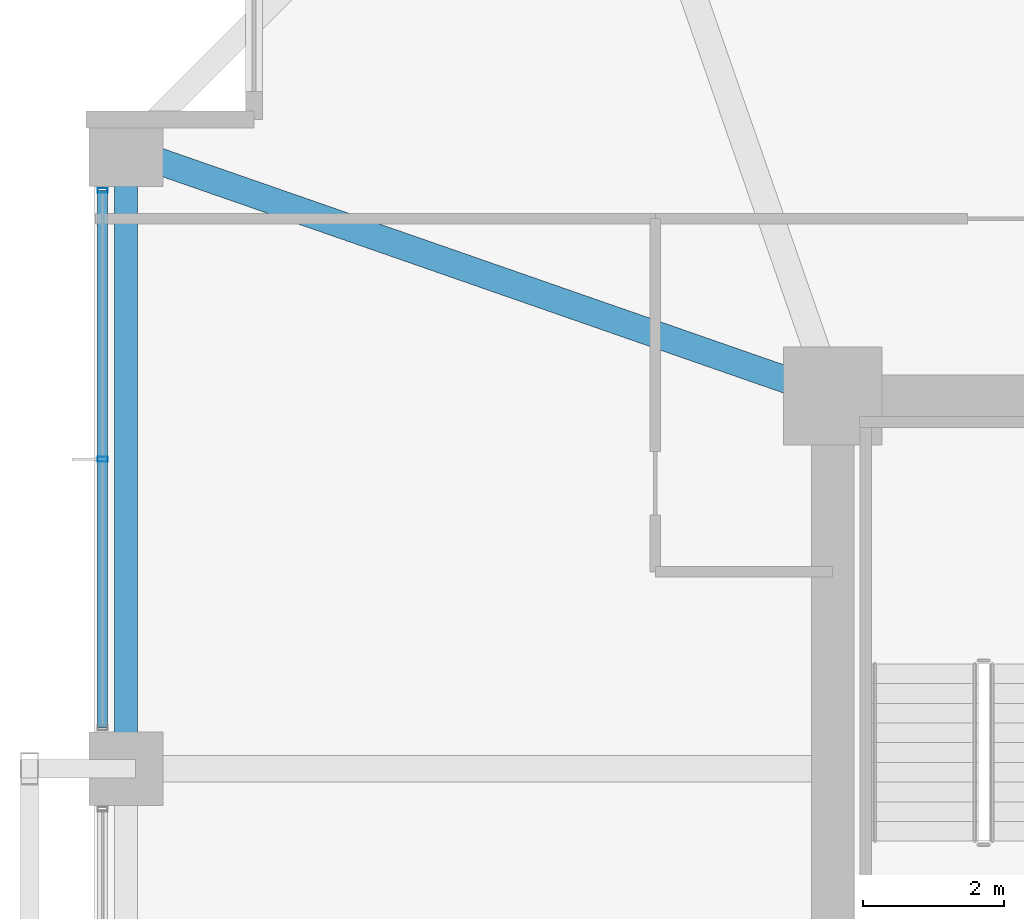
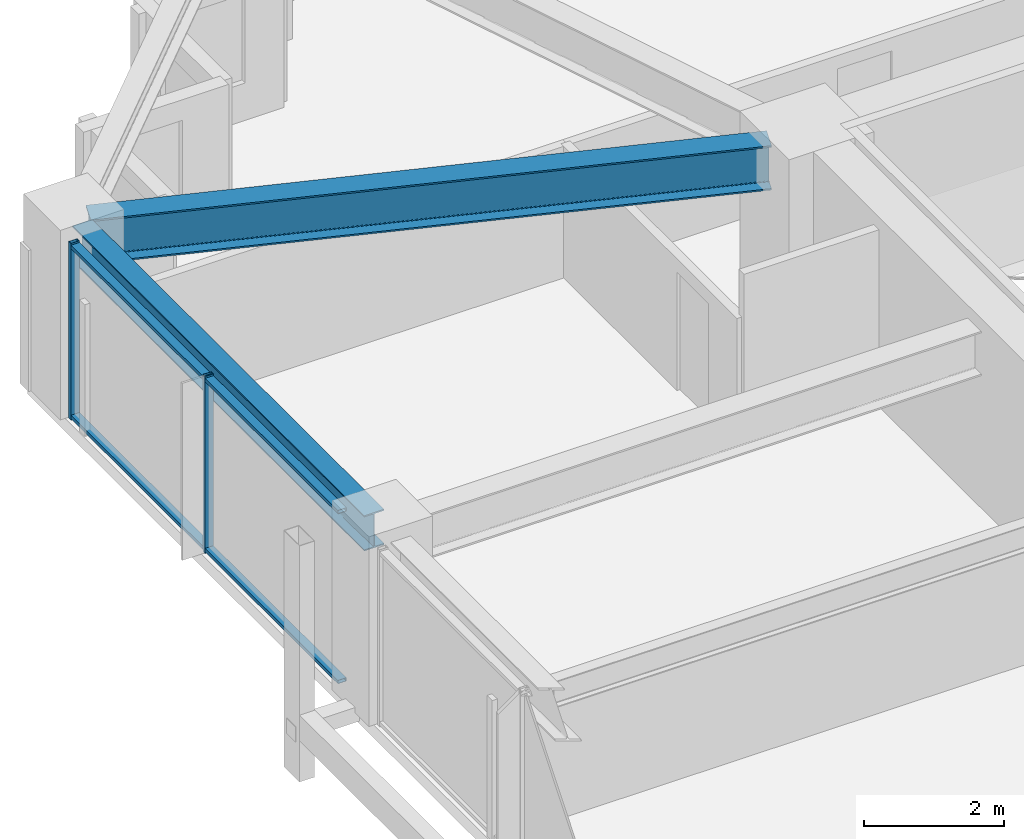
# One storey, part 18 of 38: 4 members, 2 beams, 1 element without a shape of its own.
"""IFC4 building model written with IfcOpenShell, lengths in metres."""

from ifc_helpers import new_model, si_unit, direction, frame, origin, origin_2d, place, context, subcontext, project, spatial, hollow_rectangle, i_section, extrude, material, material_profile, profile_set, type_object, element, aggregate, save


model = new_model("IFC4")

# Units and contexts
model_context = context("Model", 3, precision=1e-05, world=origin(), true_north=direction((0.0, 1.0)))
body_context = subcontext(model_context, "Body", "Model", "MODEL_VIEW")
ifc_project = project(units=[si_unit("LENGTHUNIT", "METRE"), si_unit("AREAUNIT", "SQUARE_METRE"), si_unit("VOLUMEUNIT", "CUBIC_METRE"), si_unit("PLANEANGLEUNIT", "RADIAN"), si_unit("MASSUNIT", "GRAM", prefix="KILO")], contexts=[model_context])

# Site, building, storey
site_placement = place(None, origin())
site = spatial("IfcSite", under=ifc_project, at=site_placement, CompositionType="ELEMENT")
building_placement = place(site_placement, origin())
building = spatial("IfcBuilding", under=site, at=building_placement, Name="Kolvaren Belvedere", CompositionType="ELEMENT")
storey_placement = place(building_placement, frame((0.0, 0.0, 72.199951171875)))
storey = spatial("IfcBuildingStorey", under=building, at=storey_placement, Name="L20", CompositionType="ELEMENT", Elevation=72.199951171875)

# Beams
ifc_material_1 = material(Name="Structural steel ASTM A992 Grade 50", Category="steel")
ifc_material_profile_1 = material_profile(ifc_material_1, i_section(OverallWidth=0.381103515625, OverallDepth=0.77294921875, WebThickness=0.0166015625, FlangeThickness=0.027099609375, FilletRadius=0.02392578125, at=origin_2d()), Name="W30X173")
ifc_profile_set_1 = profile_set([ifc_material_profile_1], Name="Structural steel ASTM A992 Grade 50")
beam_type_1 = type_object("IfcBeamType", Name="BM-GIRD-W30X173", PredefinedType="BEAM", material=ifc_profile_set_1)
beam_1_placement = place(storey_placement, frame((-10.41943359375, 10.080810546875, 2.693603515625), z_axis=(-0.944371408538, 0.328880894453, 0.0), x_axis=(-0.328880894453, -0.944371408538, 0.0)))
element("IfcBeam", 1, at=beam_1_placement, inside=storey, type_object=beam_type_1, Name="L20 Corner Core-to-Perimeter Girder CC4-W4", PredefinedType="BEAM", context=body_context, shape_type="SweptSolid", body=[
    extrude(i_section(OverallWidth=0.381103515625, OverallDepth=0.77294921875, WebThickness=0.0166015625, FlangeThickness=0.027099609375, FilletRadius=0.02392578125, at=origin_2d()), origin(), (0.0, 0.0, 1.0), 9.882080078125),
])
ifc_material_2 = material(Name="Structural steel ASTM A992 Grade 50", Category="steel")
ifc_material_profile_2 = material_profile(ifc_material_2, i_section(OverallWidth=0.324951171875, OverallDepth=0.615966796875, WebThickness=0.013916015625, FlangeThickness=0.021484375, FilletRadius=0.02001953125, at=origin_2d()), Name="W24X117")
ifc_profile_set_2 = profile_set([ifc_material_profile_2], Name="Structural steel ASTM A992 Grade 50")
beam_type_2 = type_object("IfcBeamType", Name="BM-SPAN-W24X117", PredefinedType="SPANDREL", material=ifc_profile_set_2)
beam_2_placement = place(storey_placement, frame((-19.949951171875, 13.163818359375, 2.77197265625), z_axis=(0.0, -1.0, 0.0), x_axis=(1.0, 0.0, 0.0)))
element("IfcBeam", 2, at=beam_2_placement, inside=storey, type_object=beam_type_2, Name="L20 Perimeter Spandrel W4-W3", PredefinedType="SPANDREL", context=body_context, shape_type="SweptSolid", body=[
    extrude(i_section(OverallWidth=0.324951171875, OverallDepth=0.615966796875, WebThickness=0.013916015625, FlangeThickness=0.021484375, FilletRadius=0.02001953125, at=origin_2d()), origin(), (0.0, 0.0, 1.0), 8.32763671875),
])

# Curtain wall, members
ifc_material_3 = material(Name="Anodised pale-metal aluminium AA 6063-T6", Category="aluminium")
curtain_wall_type = type_object("IfcCurtainWallType", Name="CW-Z2-MID", PredefinedType="NOTDEFINED", material=ifc_material_3)
curtain_wall_placement = place(storey_placement, origin())
curtain_wall = element("IfcCurtainWall", 3, at=curtain_wall_placement, inside=storey, type_object=curtain_wall_type, Name="L20 Unitised Curtain Wall FCW-L20-W-B3", PredefinedType="NOTDEFINED")
ifc_material_4 = material(Name="Anodised pale-metal aluminium AA 6063-T6", Category="aluminium")
ifc_material_profile_3 = material_profile(ifc_material_4, hollow_rectangle(XDim=0.06494140625, YDim=0.139892578125, WallThickness=0.00390625, at=origin_2d()), Name="ALU-MUL-140X65")
ifc_profile_set_3 = profile_set([ifc_material_profile_3], Name="Anodised pale-metal aluminium AA 6063-T6")
member_type_1 = type_object("IfcMemberType", Name="CW-MUL-140", PredefinedType="MULLION", material=ifc_profile_set_3)
member_1_placement = place(storey_placement, frame((-20.280029296875, 9.0, 0.0), z_axis=(0.0, 0.0, 1.0), x_axis=(0.0, 1.0, 0.0)))
member_1 = element("IfcMember", 4, at=member_1_placement, type_object=member_type_1, Name="FCW-L20-W-B3 Unitised Mullion 2", PredefinedType="MULLION", context=body_context, shape_type="SweptSolid", body=[
    extrude(hollow_rectangle(XDim=0.06494140625, YDim=0.139892578125, WallThickness=0.00390625, at=origin_2d()), origin(), (0.0, 0.0, 1.0), 3.080078125),
])
member_2_placement = place(storey_placement, frame((-20.280029296875, 12.822509765625, 0.0), z_axis=(0.0, 0.0, 1.0), x_axis=(0.0, 1.0, 0.0)))
member_2 = element("IfcMember", 5, at=member_2_placement, type_object=member_type_1, Name="FCW-L20-W-B3 Unitised Mullion 3", PredefinedType="MULLION", context=body_context, shape_type="SweptSolid", body=[
    extrude(hollow_rectangle(XDim=0.06494140625, YDim=0.139892578125, WallThickness=0.00390625, at=origin_2d()), origin(), (0.0, 0.0, 1.0), 3.080078125),
])
ifc_material_5 = material(Name="Anodised pale-metal aluminium AA 6063-T6", Category="aluminium")
ifc_material_profile_4 = material_profile(ifc_material_5, hollow_rectangle(XDim=0.06005859375, YDim=0.139892578125, WallThickness=0.00390625, at=origin_2d()), Name="ALU-TRN-140X60")
ifc_profile_set_4 = profile_set([ifc_material_profile_4], Name="Anodised pale-metal aluminium AA 6063-T6")
member_type_2 = type_object("IfcMemberType", Name="CW-TRN-140", PredefinedType="USERDEFINED", material=ifc_profile_set_4)
member_3_placement = place(storey_placement, frame((-20.280029296875, 5.177490234375, 0.06005859375), z_axis=(0.0, 1.0, 0.0), x_axis=(0.0, 0.0, 1.0)))
member_3 = element("IfcMember", 6, at=member_3_placement, type_object=member_type_2, Name="FCW-L20-W-B3 Sill Transom", ObjectType="TRANSOM", PredefinedType="USERDEFINED", context=body_context, shape_type="SweptSolid", body=[
    extrude(hollow_rectangle(XDim=0.06005859375, YDim=0.139892578125, WallThickness=0.00390625, at=origin_2d()), origin(), (0.0, 0.0, 1.0), 7.64501953125),
])
member_4_placement = place(storey_placement, frame((-20.280029296875, 5.177490234375, 3.02001953125), z_axis=(0.0, 1.0, 0.0), x_axis=(0.0, 0.0, 1.0)))
member_4 = element("IfcMember", 7, at=member_4_placement, type_object=member_type_2, Name="FCW-L20-W-B3 Head Transom", ObjectType="TRANSOM", PredefinedType="USERDEFINED", context=body_context, shape_type="SweptSolid", body=[
    extrude(hollow_rectangle(XDim=0.06005859375, YDim=0.139892578125, WallThickness=0.00390625, at=origin_2d()), origin(), (0.0, 0.0, 1.0), 7.64501953125),
])
aggregate(curtain_wall, [member_1, member_2, member_3, member_4])

save(model, "model.ifc")
